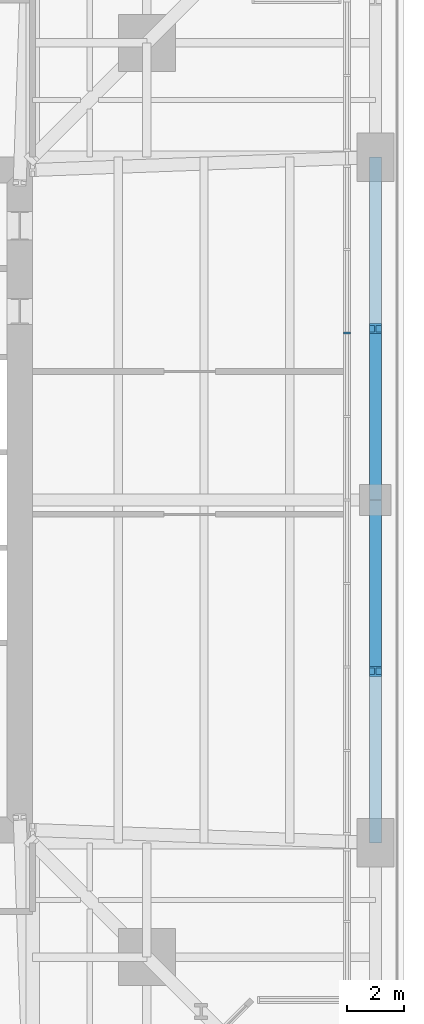
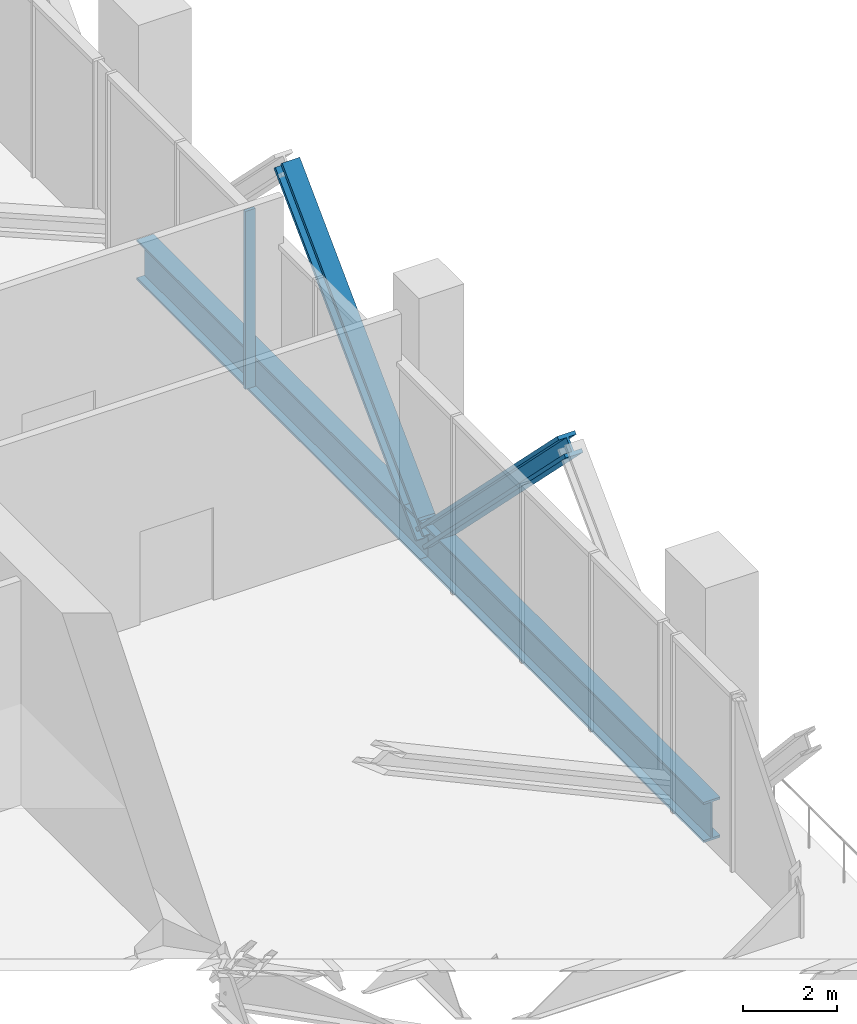
# One storey, part 6 of 14: 3 members, 2 beams, 1 element without a shape of its own.
"""IFC4 building model written with IfcOpenShell, lengths in metres."""

from ifc_helpers import new_model, si_unit, direction, frame, origin, origin_2d, place, context, subcontext, project, spatial, rectangle, i_section, extrude, material, material_profile, profile_set, type_object, element, aggregate, save


model = new_model("IFC4")

# Units and contexts
model_context = context("Model", 3, precision=1e-05, world=origin(), true_north=direction((0.0, 1.0)))
body_context = subcontext(model_context, "Body", "Model", "MODEL_VIEW")
ifc_project = project(units=[si_unit("LENGTHUNIT", "METRE"), si_unit("AREAUNIT", "SQUARE_METRE"), si_unit("VOLUMEUNIT", "CUBIC_METRE"), si_unit("PLANEANGLEUNIT", "RADIAN"), si_unit("MASSUNIT", "GRAM", prefix="KILO")], contexts=[model_context])

# Site, building, storey
site_placement = place(None, origin())
site = spatial("IfcSite", under=ifc_project, at=site_placement, CompositionType="ELEMENT")
building_placement = place(site_placement, origin())
building = spatial("IfcBuilding", under=site, at=building_placement, Name="Fenwick Lantern Interchange", CompositionType="ELEMENT")
storey_placement = place(building_placement, frame((0.0, 0.0, 233.800048828125)))
storey = spatial("IfcBuildingStorey", under=building, at=storey_placement, Name="L55", CompositionType="ELEMENT", Elevation=233.800048828125)

# Members
ifc_material_1 = material(Name="Steel ASTM A992 Grade 50", Category="steel")
ifc_material_profile_1 = material_profile(ifc_material_1, i_section(OverallWidth=0.431884765625, OverallDepth=0.497802734375, WebThickness=0.0556640625, FlangeThickness=0.0888671875, at=origin_2d()), Name="W14X500")
ifc_profile_set_1 = profile_set([ifc_material_profile_1], Name="Steel ASTM A992 Grade 50")
member_type_1 = type_object("IfcMemberType", Name="BELT TRUSS DIAGONAL W14X500", PredefinedType="BRACE", material=ifc_profile_set_1)
for number, where, z_axis, x_axis, name in (
    (1, (49.0, 25.0, -0.650146484375), (0.0, -0.707106781187, 0.707106781187), (1.0, 0.0, 0.0), "L55/BT/E/D3"),
    (2, (49.0, 25.0, -0.650146484375), (0.0, 0.707106781187, 0.707106781187), (-1.0, 0.0, 0.0), "L55/BT/E/D4"),
):
    element("IfcMember", number, at=place(storey_placement, frame(where, z_axis=z_axis, x_axis=x_axis)), inside=storey, type_object=member_type_1, Name=name, PredefinedType="BRACE", context=body_context, shape_type="SweptSolid", body=[
        extrude(i_section(OverallWidth=0.431884765625, OverallDepth=0.497802734375, WebThickness=0.0556640625, FlangeThickness=0.0888671875, at=origin_2d()), origin(), (0.0, 0.0, 1.0), 8.4853515625),
    ])

# Beams
ifc_material_profile_2 = material_profile(ifc_material_1, i_section(OverallWidth=0.408935546875, OverallDepth=1.04150390625, WebThickness=0.031005859375, FlangeThickness=0.055908203125, at=origin_2d()), Name="W40X397")
ifc_profile_set_2 = profile_set([ifc_material_profile_2], Name="Steel ASTM A992 Grade 50")
beam_type = type_object("IfcBeamType", Name="EDGE BEAM W40X397", PredefinedType="SPANDREL", material=ifc_profile_set_2)
for number, where, z_axis, x_axis, name in (
    (3, (49.0, 13.0, -0.720703125), (0.0, 1.0, 0.0), (-1.0, 0.0, 0.0), "L55/FR/E/EB2"),
    (4, (49.0, 25.0, -0.720703125), (0.0, 1.0, 0.0), (-1.0, 0.0, 0.0), "L55/FR/E/EB3"),
):
    element("IfcBeam", number, at=place(storey_placement, frame(where, z_axis=z_axis, x_axis=x_axis)), inside=storey, type_object=beam_type, Name=name, PredefinedType="SPANDREL", context=body_context, shape_type="SweptSolid", body=[
        extrude(i_section(OverallWidth=0.408935546875, OverallDepth=1.04150390625, WebThickness=0.031005859375, FlangeThickness=0.055908203125, at=origin_2d()), origin(), (0.0, 0.0, 1.0), 12.0),
    ])

# Curtain wall, member
ifc_material_2 = material(Name="Aluminium curtain wall frame", Category="aluminium")
curtain_wall_type = type_object("IfcCurtainWallType", Name="PLANT LOUVRE SCREEN", PredefinedType="USERDEFINED", material=ifc_material_2)
curtain_wall_placement = place(storey_placement, origin())
curtain_wall = element("IfcCurtainWall", 5, at=curtain_wall_placement, inside=storey, type_object=curtain_wall_type, Name="Plant louvre screen 04B", ObjectType="PLANT LOUVRE SCREEN", PredefinedType="USERDEFINED")
ifc_material_3 = material(Name="Aluminium extrusion", Category="aluminium")
ifc_material_profile_3 = material_profile(ifc_material_3, rectangle(XDim=0.25, YDim=0.074951171875, at=origin_2d()), Name="PLANT LOUVRE SCREEN MULLION 75 X 250")
ifc_profile_set_3 = profile_set([ifc_material_profile_3], Name="Aluminium extrusion")
member_type_2 = type_object("IfcMemberType", Name="PLANT LOUVRE SCREEN MULLION 75 X 250", PredefinedType="MULLION", material=ifc_profile_set_3)
member_placement = place(storey_placement, frame((48.0, 30.84130859375, 0.0), z_axis=(0.0, 0.0, 1.0), x_axis=(-1.0, 0.0, 0.0)))
member = element("IfcMember", 6, at=member_placement, type_object=member_type_2, Name="L55/CW/04B/M06", PredefinedType="MULLION", context=body_context, shape_type="SweptSolid", body=[
    extrude(rectangle(XDim=0.25, YDim=0.074951171875, at=origin_2d()), origin(), (0.0, 0.0, 1.0), 4.599853515625),
])
aggregate(curtain_wall, [member])

save(model, "model.ifc")
